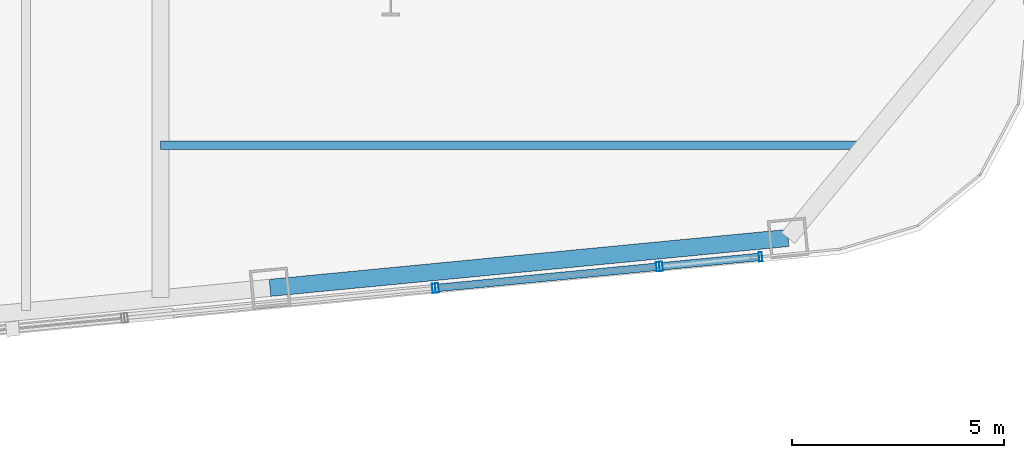
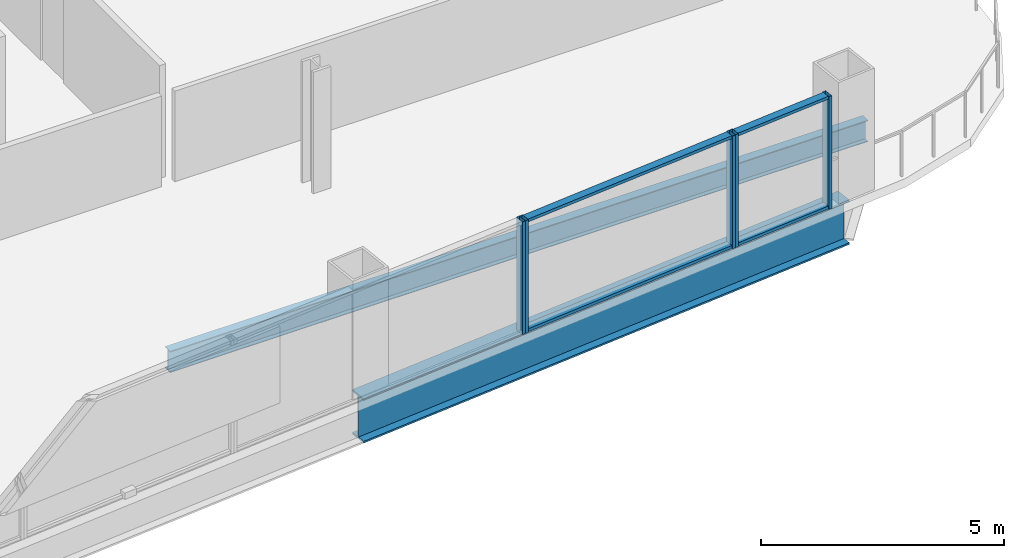
# One storey, part 9 of 26: 9 members, 2 beams, 3 elements without a shape of their own.
"""IFC4 building model written with IfcOpenShell, lengths in metres."""

from ifc_helpers import new_model, si_unit, direction, frame, origin, origin_2d, place, context, subcontext, project, spatial, hollow_rectangle, i_section, extrude, material, layer, layer_set, material_profile, profile_set, type_object, element, aggregate, save


model = new_model("IFC4")

# Units and contexts
model_context = context("Model", 3, precision=1e-05, world=origin(), true_north=direction((0.0, 1.0)))
body_context = subcontext(model_context, "Body", "Model", "MODEL_VIEW")
ifc_project = project(units=[si_unit("LENGTHUNIT", "METRE"), si_unit("AREAUNIT", "SQUARE_METRE"), si_unit("VOLUMEUNIT", "CUBIC_METRE"), si_unit("PLANEANGLEUNIT", "RADIAN"), si_unit("MASSUNIT", "GRAM", prefix="KILO")], contexts=[model_context])

# Site, building, storey
site_placement = place(None, origin())
site = spatial("IfcSite", under=ifc_project, at=site_placement, CompositionType="ELEMENT")
building_placement = place(site_placement, origin())
building = spatial("IfcBuilding", under=site, at=building_placement, Name="Qhalaya Broadcast Tower", CompositionType="ELEMENT")
storey_placement = place(building_placement, frame((0.0, 0.0, 72.5)))
storey = spatial("IfcBuildingStorey", under=building, at=storey_placement, Name="L20", CompositionType="ELEMENT", Elevation=72.5)

# Beams
ifc_material_1 = material(Name="Structural Steel ASTM A992 Grade 50", Category="steel")
ifc_material_profile_1 = material_profile(ifc_material_1, i_section(OverallWidth=0.2099609375, OverallDepth=0.535888671875, WebThickness=0.010986328125, FlangeThickness=0.017333984375, at=origin_2d()), Name="W21X68")
ifc_profile_set_1 = profile_set([ifc_material_profile_1], Name="Structural Steel ASTM A992 Grade 50")
beam_type_1 = type_object("IfcBeamType", Name="Composite Floor Joist J02", PredefinedType="JOIST", material=ifc_profile_set_1)
beam_1_placement = place(storey_placement, frame((9.375, -16.5, -0.488037109375), z_axis=(1.0, 0.0, 0.0), x_axis=(0.0, 1.0, 0.0)))
element("IfcBeam", 1, at=beam_1_placement, inside=storey, type_object=beam_type_1, Name="L20 J02 L20-JWE1E-1", PredefinedType="JOIST", context=body_context, shape_type="SweptSolid", body=[
    extrude(i_section(OverallWidth=0.2099609375, OverallDepth=0.535888671875, WebThickness=0.010986328125, FlangeThickness=0.017333984375, at=origin_2d()), origin(), (0.0, 0.0, 1.0), 16.56591796875),
])
ifc_material_profile_2 = material_profile(ifc_material_1, i_section(OverallWidth=0.404052734375, OverallDepth=1.117919921875, WebThickness=0.026123046875, FlangeThickness=0.044921875, at=origin_2d()), Name="W44X335")
ifc_profile_set_2 = profile_set([ifc_material_profile_2], Name="Structural Steel ASTM A992 Grade 50")
beam_type_2 = type_object("IfcBeamType", Name="Podium Long-Span Primary Girder PG1", PredefinedType="USERDEFINED", material=ifc_profile_set_2)
beam_2_placement = place(storey_placement, frame((11.955078125, -19.861083984375, -0.779052734375), z_axis=(0.995397535354, 0.095831866369, 0.0), x_axis=(-0.095831866369, 0.995397535354, 0.0)))
element("IfcBeam", 2, at=beam_2_placement, inside=storey, type_object=beam_type_2, Name="L20 PG1 L20-SPR-03", ObjectType="GIRDER", PredefinedType="USERDEFINED", context=body_context, shape_type="SweptSolid", body=[
    extrude(i_section(OverallWidth=0.404052734375, OverallDepth=1.117919921875, WebThickness=0.026123046875, FlangeThickness=0.044921875, at=origin_2d()), origin(), (0.0, 0.0, 1.0), 12.2666015625),
])

# Curtain wall, member
ifc_material_2 = material(Name="Fired Architectural Terracotta", Category="masonry")
ifc_layer_1 = layer(ifc_material_2, 0.219970703125, Name="Fired Architectural Terracotta")
ifc_layer_set_1 = layer_set([ifc_layer_1], Name="Fired Architectural Terracotta")
curtain_wall_type_1 = type_object("IfcCurtainWallType", Name="Block-Cap Unitised Terracotta Spandrel Wall CW-07", PredefinedType="NOTDEFINED", material=ifc_layer_set_1)
curtain_wall_1_placement = place(storey_placement, origin())
curtain_wall_1 = element("IfcCurtainWall", 3, at=curtain_wall_1_placement, inside=storey, type_object=curtain_wall_type_1, Name="L20 Unitised Curtain Wall L20-CW-S5", PredefinedType="NOTDEFINED")
ifc_material_3 = material(Name="Anodised Aluminium 6063-T6", Category="aluminium")
ifc_material_profile_3 = material_profile(ifc_material_3, hollow_rectangle(XDim=0.074951171875, YDim=0.219970703125, WallThickness=0.00390625, at=origin_2d()), Name="ALU-MUL 75x220x4")
ifc_profile_set_3 = profile_set([ifc_material_profile_3], Name="Anodised Aluminium 6063-T6")
member_type_1 = type_object("IfcMemberType", Name="Unitised Curtain-Wall Mullion M01", PredefinedType="MULLION", material=ifc_profile_set_3)
member_1_placement = place(storey_placement, frame((15.81689453125, -19.87109375, 0.0), z_axis=(0.0, 0.0, 1.0), x_axis=(0.995396450907, 0.095843129762, 0.0)))
member_1 = element("IfcMember", 4, at=member_1_placement, type_object=member_type_1, Name="CW-07 mullion 2", PredefinedType="MULLION", context=body_context, shape_type="SweptSolid", body=[
    extrude(hollow_rectangle(XDim=0.074951171875, YDim=0.219970703125, WallThickness=0.00390625, at=origin_2d()), origin(), (0.0, 0.0, 1.0), 2.830078125),
])
aggregate(curtain_wall_1, [member_1])

# Curtain wall, members
ifc_material_4 = material(Name="Solar-Control Low-E Triple Glazing", Category="glass")
ifc_layer_2 = layer(ifc_material_4, 0.219970703125, Name="Solar-Control Low-E Triple Glazing")
ifc_layer_set_2 = layer_set([ifc_layer_2], Name="Solar-Control Low-E Triple Glazing")
curtain_wall_type_2 = type_object("IfcCurtainWallType", Name="Even-Block 4-Storey Double-Module Curtain Wall CW-03", PredefinedType="NOTDEFINED", material=ifc_layer_set_2)
curtain_wall_2_placement = place(storey_placement, origin())
curtain_wall_2 = element("IfcCurtainWall", 5, at=curtain_wall_2_placement, inside=storey, type_object=curtain_wall_type_2, Name="L20 Unitised Curtain Wall L20-CW-S6", PredefinedType="NOTDEFINED")
member_2_placement = place(storey_placement, frame((15.8916015625, -19.864013671875, 0.0), z_axis=(0.0, 0.0, 1.0), x_axis=(0.995395549991, 0.095852485923, 0.0)))
member_2 = element("IfcMember", 6, at=member_2_placement, type_object=member_type_1, Name="CW-03 mullion 1", PredefinedType="MULLION", context=body_context, shape_type="SweptSolid", body=[
    extrude(hollow_rectangle(XDim=0.074951171875, YDim=0.219970703125, WallThickness=0.00390625, at=origin_2d()), origin(), (0.0, 0.0, 1.0), 2.830078125),
])
member_3_placement = place(storey_placement, frame((21.097412109375, -19.362548828125, 0.0), z_axis=(0.0, 0.0, 1.0), x_axis=(0.995395549991, 0.095852485923, 0.0)))
member_3 = element("IfcMember", 7, at=member_3_placement, type_object=member_type_1, Name="CW-03 mullion 2", PredefinedType="MULLION", context=body_context, shape_type="SweptSolid", body=[
    extrude(hollow_rectangle(XDim=0.074951171875, YDim=0.219970703125, WallThickness=0.00390625, at=origin_2d()), origin(), (0.0, 0.0, 1.0), 2.830078125),
])

curtain_wall_3_placement = place(storey_placement, origin())
curtain_wall_3 = element("IfcCurtainWall", 8, at=curtain_wall_3_placement, inside=storey, type_object=curtain_wall_type_1, Name="L20 Unitised Curtain Wall L20-CW-S7", PredefinedType="NOTDEFINED")
member_4_placement = place(storey_placement, frame((21.172119140625, -19.35546875, 0.0), z_axis=(0.0, 0.0, 1.0), x_axis=(0.99539620774, 0.09584565518, 0.0)))
member_4 = element("IfcMember", 9, at=member_4_placement, type_object=member_type_1, Name="CW-07 mullion 1", PredefinedType="MULLION", context=body_context, shape_type="SweptSolid", body=[
    extrude(hollow_rectangle(XDim=0.074951171875, YDim=0.219970703125, WallThickness=0.00390625, at=origin_2d()), origin(), (0.0, 0.0, 1.0), 2.830078125),
])
member_5_placement = place(storey_placement, frame((23.517333984375, -19.129638671875, 0.0), z_axis=(0.0, 0.0, 1.0), x_axis=(0.99539620774, 0.09584565518, 0.0)))
member_5 = element("IfcMember", 10, at=member_5_placement, type_object=member_type_1, Name="CW-07 mullion 2", PredefinedType="MULLION", context=body_context, shape_type="SweptSolid", body=[
    extrude(hollow_rectangle(XDim=0.074951171875, YDim=0.219970703125, WallThickness=0.00390625, at=origin_2d()), origin(), (0.0, 0.0, 1.0), 2.830078125),
])

# Member
ifc_material_profile_4 = material_profile(ifc_material_3, hollow_rectangle(XDim=0.074951171875, YDim=0.179931640625, WallThickness=0.00390625, at=origin_2d()), Name="ALU-TRN 75x180x4")
ifc_profile_set_4 = profile_set([ifc_material_profile_4], Name="Anodised Aluminium 6063-T6")
member_type_2 = type_object("IfcMemberType", Name="Unitised Curtain-Wall Transom T01", PredefinedType="USERDEFINED", material=ifc_profile_set_4)
member_6_placement = place(storey_placement, frame((15.928955078125, -19.8603515625, 0.03759765625), z_axis=(0.995394874019, 0.095859505401, 0.0), x_axis=(0.0, 0.0, 1.0)))
member_6 = element("IfcMember", 11, at=member_6_placement, type_object=member_type_2, Name="CW-03 transom 1.1", ObjectType="TRANSOM", PredefinedType="USERDEFINED", context=body_context, shape_type="SweptSolid", body=[
    extrude(hollow_rectangle(XDim=0.074951171875, YDim=0.179931640625, WallThickness=0.00390625, at=origin_2d()), origin(), (0.0, 0.0, 1.0), 5.15478515625),
])

member_7_placement = place(storey_placement, frame((15.928955078125, -19.8603515625, 2.79248046875), z_axis=(0.995394874019, 0.095859505401, 0.0), x_axis=(0.0, 0.0, 1.0)))
member_7 = element("IfcMember", 12, at=member_7_placement, type_object=member_type_2, Name="CW-03 transom 1.2", ObjectType="TRANSOM", PredefinedType="USERDEFINED", context=body_context, shape_type="SweptSolid", body=[
    extrude(hollow_rectangle(XDim=0.074951171875, YDim=0.179931640625, WallThickness=0.00390625, at=origin_2d()), origin(), (0.0, 0.0, 1.0), 5.15478515625),
])

aggregate(curtain_wall_2, [member_2, member_3, member_6, member_7])

member_8_placement = place(storey_placement, frame((21.20947265625, -19.351806640625, 0.03759765625), z_axis=(0.995401181684, 0.095793984689, 0.0), x_axis=(0.0, 0.0, 1.0)))
member_8 = element("IfcMember", 13, at=member_8_placement, type_object=member_type_2, Name="CW-07 transom 1.1", ObjectType="TRANSOM", PredefinedType="USERDEFINED", context=body_context, shape_type="SweptSolid", body=[
    extrude(hollow_rectangle(XDim=0.074951171875, YDim=0.179931640625, WallThickness=0.00390625, at=origin_2d()), origin(), (0.0, 0.0, 1.0), 2.281005859375),
])

member_9_placement = place(storey_placement, frame((21.20947265625, -19.351806640625, 2.79248046875), z_axis=(0.995401181684, 0.095793984689, 0.0), x_axis=(0.0, 0.0, 1.0)))
member_9 = element("IfcMember", 14, at=member_9_placement, type_object=member_type_2, Name="CW-07 transom 1.2", ObjectType="TRANSOM", PredefinedType="USERDEFINED", context=body_context, shape_type="SweptSolid", body=[
    extrude(hollow_rectangle(XDim=0.074951171875, YDim=0.179931640625, WallThickness=0.00390625, at=origin_2d()), origin(), (0.0, 0.0, 1.0), 2.281005859375),
])

aggregate(curtain_wall_3, [member_4, member_5, member_8, member_9])

save(model, "model.ifc")
